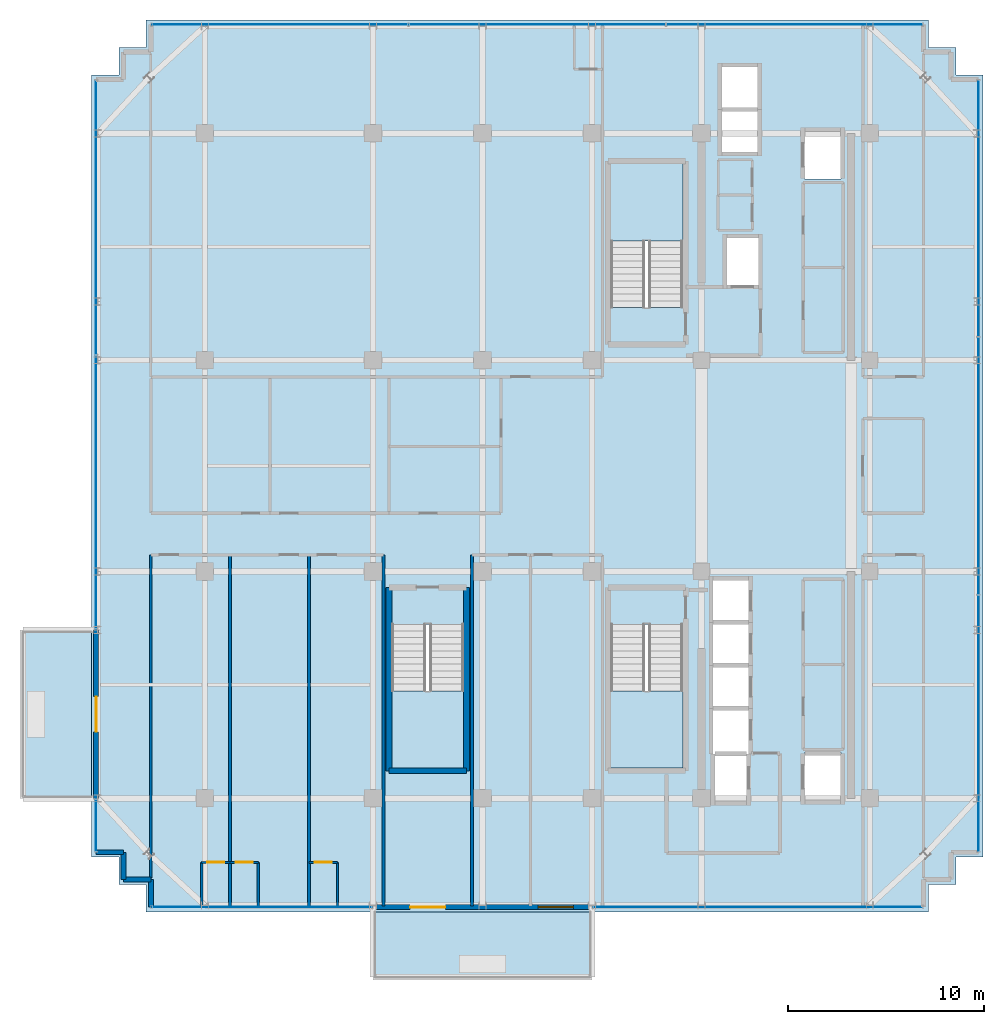
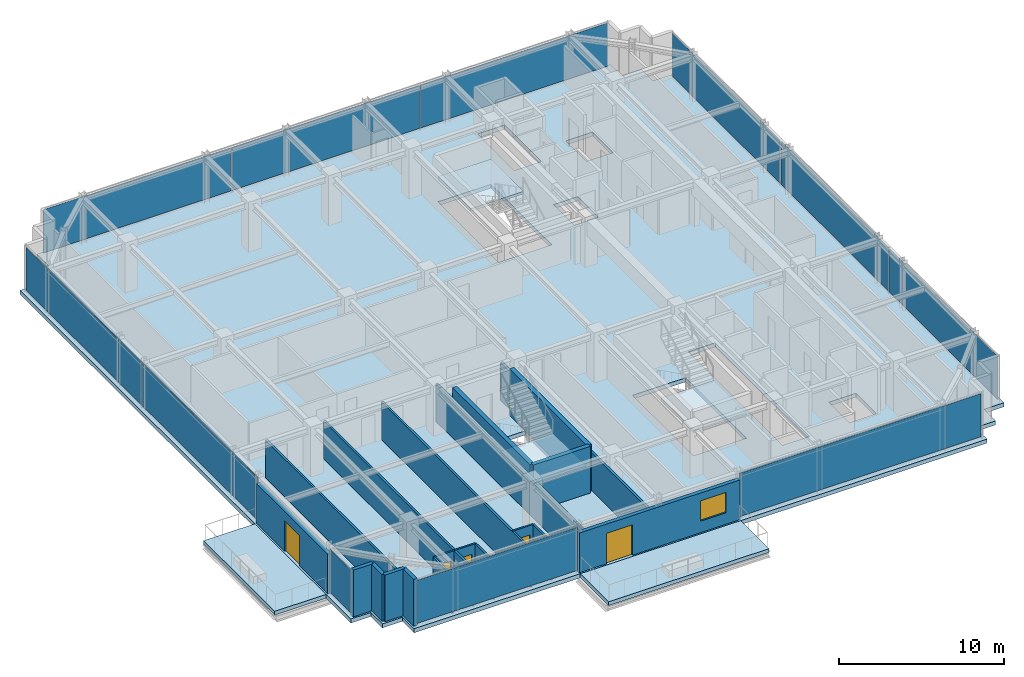
# One storey, part 24 of 31: 20 walls, 11 plates, 6 slabs, 5 doors, 1 window, 6 openings, 9 elements without a shape of their own.
"""IFC4 building model written with IfcOpenShell, lengths in metres."""

from ifc_helpers import new_model, si_unit, direction, frame, frame_2d, origin, origin_2d, place, context, subcontext, project, spatial, polyline, rectangle, outline, extrude, source, transform, mapped, material, layer, layer_set, type_object, element, fill, aggregate, save


model = new_model("IFC4")

# Units and contexts
model_context = context("Model", 3, precision=1e-05, world=origin(), true_north=direction((0.0, 1.0)))
body_context = subcontext(model_context, "Body", "Model", "MODEL_VIEW")
ifc_project = project(units=[si_unit("LENGTHUNIT", "METRE"), si_unit("AREAUNIT", "SQUARE_METRE"), si_unit("VOLUMEUNIT", "CUBIC_METRE"), si_unit("PLANEANGLEUNIT", "RADIAN"), si_unit("MASSUNIT", "GRAM", prefix="KILO")], contexts=[model_context])

# Site, building, storey
site_placement = place(None, origin())
site = spatial("IfcSite", under=ifc_project, at=site_placement, CompositionType="ELEMENT")
building_placement = place(site_placement, origin())
building = spatial("IfcBuilding", under=site, at=building_placement, Name="Nahalor Promenade Grand Hotel", CompositionType="ELEMENT")
storey_placement = place(building_placement, frame((0.0, 0.0, 277.550048828125)))
storey = spatial("IfcBuildingStorey", under=building, at=storey_placement, Name="L71", CompositionType="ELEMENT", Elevation=277.550048828125)

# Stair, slab
ifc_material_1 = material(Name="Concrete B-50 (C40/50)", Category="concrete")
stair_type_1 = type_object("IfcStairType", Name="Stair-ST1", PredefinedType="HALF_TURN_STAIR", material=ifc_material_1)
stair_1_placement = place(storey_placement, origin())
stair_1 = element("IfcStair", 1, at=stair_1_placement, inside=storey, type_object=stair_type_1, Name="L71 ST1", PredefinedType="HALF_TURN_STAIR")
ifc_layer_1 = layer(ifc_material_1, 0.199951171875)
ifc_layer_set_1 = layer_set([ifc_layer_1], Name="Concrete B-50 (C40/50)")
slab_type_1 = type_object("IfcSlabType", Name="Landing-ST1", PredefinedType="LANDING", material=ifc_layer_set_1)
slab_1_placement = place(storey_placement, frame((0.0, 0.0, 1.675048828125)))
slab_1 = element("IfcSlab", 2, at=slab_1_placement, type_object=slab_type_1, Name="ST1 landing 1", PredefinedType="LANDING", context=body_context, shape_type="SweptSolid", body=[
    extrude(outline(polyline([(7.449951171875, 11.5), (7.449951171875, 15.449951171875), (3.75, 15.449951171875), (3.75, 11.5), (7.449951171875, 11.5)])), origin(), (0.0, 0.0, 1.0), 0.199951171875),
])
aggregate(stair_1, [slab_1])

stair_type_2 = type_object("IfcStairType", Name="Stair-ST2", PredefinedType="HALF_TURN_STAIR", material=ifc_material_1)
stair_2_placement = place(storey_placement, origin())
stair_2 = element("IfcStair", 3, at=stair_2_placement, inside=storey, type_object=stair_type_2, Name="L71 ST2", PredefinedType="HALF_TURN_STAIR")
ifc_layer_2 = layer(ifc_material_1, 0.2099609375)
ifc_layer_set_2 = layer_set([ifc_layer_2], Name="Concrete B-50 (C40/50)")
slab_type_2 = type_object("IfcSlabType", Name="Landing-ST2", PredefinedType="LANDING", material=ifc_layer_set_2)
slab_2_placement = place(storey_placement, frame((0.0, 0.0, 1.6650390625)))
slab_2 = element("IfcSlab", 4, at=slab_2_placement, type_object=slab_type_2, Name="ST2 landing 1", PredefinedType="LANDING", context=body_context, shape_type="SweptSolid", body=[
    extrude(outline(polyline([(3.75, -11.5), (3.75, -15.449951171875), (7.449951171875, -15.449951171875), (7.449951171875, -11.5), (3.75, -11.5)])), origin(), (0.0, 0.0, 1.0), 0.2099609375),
])
aggregate(stair_2, [slab_2])

stair_type_3 = type_object("IfcStairType", Name="Stair-ST3", PredefinedType="HALF_TURN_STAIR", material=ifc_material_1)
stair_3_placement = place(storey_placement, origin())
stair_3 = element("IfcStair", 5, at=stair_3_placement, inside=storey, type_object=stair_type_3, Name="L71 ST3", PredefinedType="HALF_TURN_STAIR")
ifc_layer_3 = layer(ifc_material_1, 0.219970703125)
ifc_layer_set_3 = layer_set([ifc_layer_3], Name="Concrete B-50 (C40/50)")
slab_type_3 = type_object("IfcSlabType", Name="Landing-ST3", PredefinedType="LANDING", material=ifc_layer_set_3)
slab_3_placement = place(storey_placement, frame((0.0, 0.0, 1.655029296875)))
slab_3 = element("IfcSlab", 6, at=slab_3_placement, type_object=slab_type_3, Name="ST3 landing 1", PredefinedType="LANDING", context=body_context, shape_type="SweptSolid", body=[
    extrude(outline(polyline([(-7.449951171875, -11.5), (-7.449951171875, -15.449951171875), (-3.75, -15.449951171875), (-3.75, -11.5), (-7.449951171875, -11.5)])), origin(), (0.0, 0.0, 1.0), 0.219970703125),
])
aggregate(stair_3, [slab_3])

# Slabs
ifc_layer_4 = layer(ifc_material_1, 0.280029296875)
ifc_layer_set_4 = layer_set([ifc_layer_4], Name="Concrete B-50 (C40/50)")
slab_type_4 = type_object("IfcSlabType", Name="Slab-Balcony-280", PredefinedType="FLOOR", material=ifc_layer_set_4)
slab_4_placement = place(storey_placement, frame((0.0, 0.0, -0.280029296875)))
element("IfcSlab", 7, at=slab_4_placement, inside=storey, type_object=slab_type_4, Name="L71 Cantilevered Planted Balcony 1", PredefinedType="FLOOR", context=body_context, shape_type="SweptSolid", body=[
    extrude(outline(polyline([(-8.39990234375, -26.219970703125), (2.800048828125, -26.219970703125), (2.800048828125, -22.800048828125), (-8.39990234375, -22.800048828125), (-8.39990234375, -26.219970703125)])), origin(), (0.0, 0.0, 1.0), 0.280029296875),
])
slab_5_placement = place(storey_placement, frame((0.0, 0.0, -0.280029296875)))
element("IfcSlab", 8, at=slab_5_placement, inside=storey, type_object=slab_type_4, Name="L71 Cantilevered Planted Balcony 2", PredefinedType="FLOOR", context=body_context, shape_type="SweptSolid", body=[
    extrude(outline(polyline([(-26.3798828125, -17.0), (-22.800048828125, -17.0), (-22.800048828125, -8.39990234375), (-26.3798828125, -8.39990234375), (-26.3798828125, -17.0)])), origin(), (0.0, 0.0, 1.0), 0.280029296875),
])
ifc_layer_5 = layer(ifc_material_1, 0.300048828125)
ifc_layer_set_5 = layer_set([ifc_layer_5], Name="Concrete B-50 (C40/50)")
slab_type_5 = type_object("IfcSlabType", Name="Slab-TowerZ5-300", PredefinedType="FLOOR", material=ifc_layer_set_5)
slab_6_placement = place(storey_placement, frame((0.0, 0.0, -0.300048828125)))
element("IfcSlab", 9, at=slab_6_placement, inside=storey, type_object=slab_type_5, Name="L71 Suspended Structural Floor Slab", PredefinedType="FLOOR", context=body_context, shape_type="SweptSolid", body=[
    extrude(outline(polyline([(-20.0, -22.800048828125), (20.0, -22.800048828125), (20.0, -21.39990234375), (21.39990234375, -21.39990234375), (21.39990234375, -20.0), (22.800048828125, -20.0), (22.800048828125, 20.0), (21.39990234375, 20.0), (21.39990234375, 21.39990234375), (20.0, 21.39990234375), (20.0, 22.800048828125), (-20.0, 22.800048828125), (-20.0, 21.39990234375), (-21.39990234375, 21.39990234375), (-21.39990234375, 20.0), (-22.800048828125, 20.0), (-22.800048828125, -20.0), (-21.39990234375, -20.0), (-21.39990234375, -21.39990234375), (-20.0, -21.39990234375), (-20.0, -22.800048828125)]), holes=[polyline([(3.75, 8.10009765625), (7.449951171875, 8.10009765625), (7.449951171875, 15.449951171875), (3.75, 15.449951171875), (3.75, 8.10009765625)]), polyline([(3.75, -15.449951171875), (7.449951171875, -15.449951171875), (7.449951171875, -8.10009765625), (3.75, -8.10009765625), (3.75, -15.449951171875)]), polyline([(-7.449951171875, -15.449951171875), (-3.75, -15.449951171875), (-3.75, -8.10009765625), (-7.449951171875, -8.10009765625), (-7.449951171875, -15.449951171875)]), polyline([(8.9599609375, -17.18994140625), (10.840087890625, -17.18994140625), (10.840087890625, -5.81005859375), (8.9599609375, -5.81005859375), (8.9599609375, -17.18994140625)]), polyline([(9.409912109375, 16.010009765625), (11.2900390625, 16.010009765625), (11.2900390625, 20.43994140625), (9.409912109375, 20.43994140625), (9.409912109375, 16.010009765625)]), polyline([(9.659912109375, 9.2099609375), (11.340087890625, 9.2099609375), (11.340087890625, 11.68994140625), (9.659912109375, 11.68994140625), (9.659912109375, 9.2099609375)]), polyline([(13.659912109375, 14.659912109375), (15.5400390625, 14.659912109375), (15.5400390625, 17.139892578125), (13.659912109375, 17.139892578125), (13.659912109375, 14.659912109375)]), polyline([(13.659912109375, -17.139892578125), (15.5400390625, -17.139892578125), (15.5400390625, -14.659912109375), (13.659912109375, -14.659912109375), (13.659912109375, -17.139892578125)])]), origin(), (0.0, 0.0, 1.0), 0.300048828125),
])

# Curtain wall, plate
ifc_material_2 = material(Name="Anodised Bronze Aluminium EN AW-6063 T6", Category="aluminium")
curtain_wall_type = type_object("IfcCurtainWallType", Name="CW2 Typical Hotel Flush Bronze Unitised Curtain Wall", PredefinedType="USERDEFINED", material=ifc_material_2)
curtain_wall_1_placement = place(storey_placement, origin())
curtain_wall_1 = element("IfcCurtainWall", 10, at=curtain_wall_1_placement, inside=storey, type_object=curtain_wall_type, Name="L71 Curtain Wall CW-L71-N-1", ObjectType="UNITISED_CURTAIN_WALL", PredefinedType="USERDEFINED")
ifc_material_3 = material(Name="Low-E Laminated Solar Glass", Category="glass")
ifc_layer_6 = layer(ifc_material_3, 0.028076171875)
ifc_layer_set_6 = layer_set([ifc_layer_6], Name="Low-E Laminated Solar Glass")
plate_type = type_object("IfcPlateType", Name="CWP2 Bronze Low-E Vision IGU 28mm", PredefinedType="CURTAIN_PANEL", material=ifc_layer_set_6)
shared_shape_1 = source(origin(), body_context, "Body", "SweptSolid", [
    extrude(rectangle(XDim=13.1083984375, YDim=0.028076171875, at=origin_2d()), origin(), (0.0, 0.0, 1.0), 3.18994140625),
])
plate_1_placement = place(storey_placement, frame((0.0, 22.56005859375, 0.1298828125), z_axis=(0.0, 0.0, 1.0), x_axis=(1.0, 0.0, 0.0)))
plate_1 = element("IfcPlate", 11, at=plate_1_placement, type_object=plate_type, Name="CW-L71-N-1 Glazing Panel 1-0", PredefinedType="CURTAIN_PANEL", context=body_context, shape_type="MappedRepresentation", body=[
    mapped(shared_shape_1, transform((0.0, 0.0, 0.0), scale=1.0)),
])

curtain_wall_2_placement = place(storey_placement, origin())
curtain_wall_2 = element("IfcCurtainWall", 12, at=curtain_wall_2_placement, inside=storey, type_object=curtain_wall_type, Name="L71 Curtain Wall CW-L71-E-1", ObjectType="UNITISED_CURTAIN_WALL", PredefinedType="USERDEFINED")
plate_2_placement = place(storey_placement, frame((22.56005859375, 0.0, 0.1298828125), z_axis=(0.0, 0.0, 1.0), x_axis=(0.0, 1.0, 0.0)))
plate_2 = element("IfcPlate", 13, at=plate_2_placement, type_object=plate_type, Name="CW-L71-E-1 Glazing Panel 1-0", PredefinedType="CURTAIN_PANEL", context=body_context, shape_type="MappedRepresentation", body=[
    mapped(shared_shape_1, transform((0.0, 0.0, 0.0), scale=1.0)),
])

curtain_wall_3_placement = place(storey_placement, origin())
curtain_wall_3 = element("IfcCurtainWall", 14, at=curtain_wall_3_placement, inside=storey, type_object=curtain_wall_type, Name="L71 Curtain Wall CW-L71-W-1", ObjectType="UNITISED_CURTAIN_WALL", PredefinedType="USERDEFINED")
shared_shape_2 = source(origin(), body_context, "Body", "SweptSolid", [
    extrude(rectangle(XDim=2.6298828125, YDim=0.028076171875, at=origin_2d()), origin(), (0.0, 0.0, 1.0), 3.18994140625),
])
plate_3_placement = place(storey_placement, frame((-22.56005859375, -18.3798828125, 0.1298828125), z_axis=(0.0, 0.0, 1.0), x_axis=(0.0, 1.0, 0.0)))
plate_3 = element("IfcPlate", 15, at=plate_3_placement, type_object=plate_type, Name="CW-L71-W-1 Glazing Panel 0-0", PredefinedType="CURTAIN_PANEL", context=body_context, shape_type="MappedRepresentation", body=[
    mapped(shared_shape_2, transform((0.0, 0.0, 0.0), scale=1.0)),
])
aggregate(curtain_wall_3, [plate_3])

# Curtain wall, plates
curtain_wall_4_placement = place(storey_placement, origin())
curtain_wall_4 = element("IfcCurtainWall", 16, at=curtain_wall_4_placement, inside=storey, type_object=curtain_wall_type, Name="L71 Curtain Wall CW-L71-W-3", ObjectType="UNITISED_CURTAIN_WALL", PredefinedType="USERDEFINED")
shared_shape_3 = source(origin(), body_context, "Body", "SweptSolid", [
    extrude(rectangle(XDim=13.982421875, YDim=0.028076171875, at=origin_2d()), origin(), (0.0, 0.0, 1.0), 3.18994140625),
])
plate_4_placement = place(storey_placement, frame((-22.56005859375, -1.34375, 0.1298828125), z_axis=(0.0, 0.0, 1.0), x_axis=(0.0, 1.0, 0.0)))
plate_4 = element("IfcPlate", 17, at=plate_4_placement, type_object=plate_type, Name="CW-L71-W-3 Glazing Panel 0-0", PredefinedType="CURTAIN_PANEL", context=body_context, shape_type="MappedRepresentation", body=[
    mapped(shared_shape_3, transform((0.0, 0.0, 0.0), scale=1.0)),
])
plate_5_placement = place(storey_placement, frame((-22.56005859375, 12.703857421875, 0.1298828125), z_axis=(0.0, 0.0, 1.0), x_axis=(0.0, 1.0, 0.0)))
plate_5 = element("IfcPlate", 18, at=plate_5_placement, type_object=plate_type, Name="CW-L71-W-3 Glazing Panel 1-0", PredefinedType="CURTAIN_PANEL", context=body_context, shape_type="MappedRepresentation", body=[
    mapped(shared_shape_3, transform((0.0, 0.0, 0.0), scale=1.0)),
])
aggregate(curtain_wall_4, [plate_4, plate_5])

# Plate
shared_shape_4 = source(origin(), body_context, "Body", "SweptSolid", [
    extrude(rectangle(XDim=13.075927734375, YDim=0.028076171875, at=origin_2d()), origin(), (0.0, 0.0, 1.0), 3.18994140625),
])
plate_6_placement = place(storey_placement, frame((-13.156982421875, 22.56005859375, 0.1298828125), z_axis=(0.0, 0.0, 1.0), x_axis=(1.0, 0.0, 0.0)))
plate_6 = element("IfcPlate", 19, at=plate_6_placement, type_object=plate_type, Name="CW-L71-N-1 Glazing Panel 0-0", PredefinedType="CURTAIN_PANEL", context=body_context, shape_type="MappedRepresentation", body=[
    mapped(shared_shape_4, transform((0.0, 0.0, 0.0), scale=1.0)),
])

plate_7_placement = place(storey_placement, frame((13.156982421875, 22.56005859375, 0.1298828125), z_axis=(0.0, 0.0, 1.0), x_axis=(1.0, 0.0, 0.0)))
plate_7 = element("IfcPlate", 20, at=plate_7_placement, type_object=plate_type, Name="CW-L71-N-1 Glazing Panel 2-0", PredefinedType="CURTAIN_PANEL", context=body_context, shape_type="MappedRepresentation", body=[
    mapped(shared_shape_4, transform((0.0, 0.0, 0.0), scale=1.0)),
])

aggregate(curtain_wall_1, [plate_6, plate_1, plate_7])

plate_8_placement = place(storey_placement, frame((22.56005859375, -13.156982421875, 0.1298828125), z_axis=(0.0, 0.0, 1.0), x_axis=(0.0, 1.0, 0.0)))
plate_8 = element("IfcPlate", 21, at=plate_8_placement, type_object=plate_type, Name="CW-L71-E-1 Glazing Panel 0-0", PredefinedType="CURTAIN_PANEL", context=body_context, shape_type="MappedRepresentation", body=[
    mapped(shared_shape_4, transform((0.0, 0.0, 0.0), scale=1.0)),
])

plate_9_placement = place(storey_placement, frame((22.56005859375, 13.156982421875, 0.1298828125), z_axis=(0.0, 0.0, 1.0), x_axis=(0.0, 1.0, 0.0)))
plate_9 = element("IfcPlate", 22, at=plate_9_placement, type_object=plate_type, Name="CW-L71-E-1 Glazing Panel 2-0", PredefinedType="CURTAIN_PANEL", context=body_context, shape_type="MappedRepresentation", body=[
    mapped(shared_shape_4, transform((0.0, 0.0, 0.0), scale=1.0)),
])

aggregate(curtain_wall_2, [plate_8, plate_2, plate_9])

# Curtain wall, plate
curtain_wall_5_placement = place(storey_placement, origin())
curtain_wall_5 = element("IfcCurtainWall", 23, at=curtain_wall_5_placement, inside=storey, type_object=curtain_wall_type, Name="L71 Curtain Wall CW-L71-S-1", ObjectType="UNITISED_CURTAIN_WALL", PredefinedType="USERDEFINED")
shared_shape_5 = source(origin(), body_context, "Body", "SweptSolid", [
    extrude(rectangle(XDim=11.22998046875, YDim=0.028076171875, at=origin_2d()), origin(), (0.0, 0.0, 1.0), 3.18994140625),
])
plate_10_placement = place(storey_placement, frame((-14.080078125, -22.56005859375, 0.1298828125), z_axis=(0.0, 0.0, 1.0), x_axis=(1.0, 0.0, 0.0)))
plate_10 = element("IfcPlate", 24, at=plate_10_placement, type_object=plate_type, Name="CW-L71-S-1 Glazing Panel 0-0", PredefinedType="CURTAIN_PANEL", context=body_context, shape_type="MappedRepresentation", body=[
    mapped(shared_shape_5, transform((0.0, 0.0, 0.0), scale=1.0)),
])
aggregate(curtain_wall_5, [plate_10])

curtain_wall_6_placement = place(storey_placement, origin())
curtain_wall_6 = element("IfcCurtainWall", 25, at=curtain_wall_6_placement, inside=storey, type_object=curtain_wall_type, Name="L71 Curtain Wall CW-L71-S-3", ObjectType="UNITISED_CURTAIN_WALL", PredefinedType="USERDEFINED")
shared_shape_6 = source(origin(), body_context, "Body", "SweptSolid", [
    extrude(rectangle(XDim=16.830078125, YDim=0.028076171875, at=origin_2d()), origin(), (0.0, 0.0, 1.0), 3.18994140625),
])
plate_11_placement = place(storey_placement, frame((11.280029296875, -22.56005859375, 0.1298828125), z_axis=(0.0, 0.0, 1.0), x_axis=(1.0, 0.0, 0.0)))
plate_11 = element("IfcPlate", 26, at=plate_11_placement, type_object=plate_type, Name="CW-L71-S-3 Glazing Panel 0-0", PredefinedType="CURTAIN_PANEL", context=body_context, shape_type="MappedRepresentation", body=[
    mapped(shared_shape_6, transform((0.0, 0.0, 0.0), scale=1.0)),
])
aggregate(curtain_wall_6, [plate_11])

# Walls
ifc_layer_7 = layer(ifc_material_1, 0.300048828125)
ifc_layer_set_7 = layer_set([ifc_layer_7], Name="Concrete B-50 (C40/50)")
wall_type_1 = type_object("IfcWallType", Name="Wall-ShaftShear-300", PredefinedType="SHEAR", material=ifc_layer_set_7)
shared_shape_7 = source(origin(), body_context, "Body", "SweptSolid", [
    extrude(rectangle(XDim=3.97998046875, YDim=0.300048828125, at=frame_2d((1.989990234375, 0.0))), origin(), (0.0, 0.0, 1.0), 3.449951171875),
])
wall_1_placement = place(storey_placement, frame((-7.590087890625, -15.590087890625, 0.0), z_axis=(0.0, 0.0, 1.0), x_axis=(1.0, 0.0, 0.0)))
element("IfcWall", 27, at=wall_1_placement, inside=storey, type_object=wall_type_1, Name="L71 Exit Stair ST3 Shaft Wall S", PredefinedType="SHEAR", context=body_context, shape_type="MappedRepresentation", body=[
    mapped(shared_shape_7, transform((0.0, 0.0, 0.0), scale=1.0)),
])
shared_shape_8 = source(origin(), body_context, "Body", "SweptSolid", [
    extrude(rectangle(XDim=9.380126953125, YDim=0.300048828125, at=frame_2d((4.68994140625, 0.0))), origin(), (0.0, 0.0, 1.0), 3.449951171875),
])
for number, where, z_axis, x_axis, name in (
    (28, (-7.590087890625, -15.590087890625, 0.0), (0.0, 0.0, 1.0), (0.0, 1.0, 0.0), "L71 Exit Stair ST3 Shaft Wall W"),
    (29, (-3.610107421875, -15.590087890625, 0.0), (0.0, 0.0, 1.0), (0.0, 1.0, 0.0), "L71 Exit Stair ST3 Shaft Wall E"),
):
    element("IfcWall", number, at=place(storey_placement, frame(where, z_axis=z_axis, x_axis=x_axis)), inside=storey, type_object=wall_type_1, Name=name, PredefinedType="SHEAR", context=body_context, shape_type="MappedRepresentation", body=[
        mapped(shared_shape_8, transform((0.0, 0.0, 0.0), scale=1.0)),
    ])
ifc_material_4 = material(Name="Concrete B-40 (C32/40)", Category="concrete")
ifc_layer_8 = layer(ifc_material_4, 0.25)
ifc_layer_set_8 = layer_set([ifc_layer_8], Name="Concrete B-40 (C32/40)")
wall_type_2 = type_object("IfcWallType", Name="Wall-BronzePier-250", PredefinedType="STANDARD", material=ifc_layer_set_8)
shared_shape_9 = source(origin(), body_context, "Body", "SweptSolid", [
    extrude(rectangle(XDim=1.400146484375, YDim=0.25, at=frame_2d((0.7001953125, 0.0))), origin(), (0.0, 0.0, 1.0), 3.449951171875),
])
for number, where, z_axis, x_axis, name in (
    (30, (-22.56005859375, -19.760009765625, 0.0), (0.0, 0.0, 1.0), (1.0, 0.0, 0.0), "W-L71-SR-13"),
    (31, (-19.760009765625, -22.56005859375, 0.0), (0.0, 0.0, 1.0), (0.0, 1.0, 0.0), "W-L71-SR-16"),
):
    element("IfcWall", number, at=place(storey_placement, frame(where, z_axis=z_axis, x_axis=x_axis)), inside=storey, type_object=wall_type_2, Name=name, PredefinedType="STANDARD", context=body_context, shape_type="MappedRepresentation", body=[
        mapped(shared_shape_9, transform((0.0, 0.0, 0.0), scale=1.0)),
    ])
shared_shape_10 = source(origin(), body_context, "Body", "SweptSolid", [
    extrude(rectangle(XDim=1.39990234375, YDim=0.25, at=frame_2d((0.699951171875, 0.0))), origin(), (0.0, 0.0, 1.0), 3.449951171875),
])
for number, where, z_axis, x_axis, name in (
    (32, (-21.159912109375, -21.159912109375, 0.0), (0.0, 0.0, 1.0), (0.0, 1.0, 0.0), "W-L71-SR-14"),
    (33, (-21.159912109375, -21.159912109375, 0.0), (0.0, 0.0, 1.0), (1.0, 0.0, 0.0), "W-L71-SR-15"),
):
    element("IfcWall", number, at=place(storey_placement, frame(where, z_axis=z_axis, x_axis=x_axis)), inside=storey, type_object=wall_type_2, Name=name, PredefinedType="STANDARD", context=body_context, shape_type="MappedRepresentation", body=[
        mapped(shared_shape_10, transform((0.0, 0.0, 0.0), scale=1.0)),
    ])

# Wall, opening, door
ifc_layer_9 = layer(ifc_material_4, 0.260009765625)
ifc_layer_set_9 = layer_set([ifc_layer_9], Name="Concrete B-40 (C32/40)")
wall_type_3 = type_object("IfcWallType", Name="Wall-BalconyWall-260", PredefinedType="STANDARD", material=ifc_layer_set_9)
shared_shape_11 = source(origin(), body_context, "Body", "SweptSolid", [
    extrude(rectangle(XDim=8.60009765625, YDim=0.260009765625, at=frame_2d((4.300048828125, 0.0))), origin(), (0.0, 0.0, 1.0), 2.929931640625),
])
wall_2_placement = place(storey_placement, frame((-22.56005859375, -17.0, 0.0), z_axis=(0.0, 0.0, 1.0), x_axis=(0.0, 1.0, 0.0)))
wall_2 = element("IfcWall", 34, at=wall_2_placement, inside=storey, type_object=wall_type_3, Name="W-L71-BALC-W-2", PredefinedType="STANDARD", context=body_context, shape_type="MappedRepresentation", body=[
    mapped(shared_shape_11, transform((0.0, 0.0, 0.0), scale=1.0)),
])
opening_1_placement = place(wall_2_placement, frame((3.39990234375, 0.0, 0.0)))
opening_1 = element("IfcOpeningElement", 35, at=opening_1_placement, cuts=wall_2, Name="Opening D-BC1", PredefinedType="OPENING", context=body_context, shape_type="SweptSolid", body=[
    extrude(rectangle(XDim=1.800048828125, YDim=2.25, at=frame_2d((0.89990234375, 1.125))), frame((0.0, 0.139892578125, 0.0), z_axis=(0.0, -1.0, 0.0), x_axis=(1.0, 0.0, 0.0)), (0.0, 0.0, 1.0), 0.280029296875),
])
door_type_1 = type_object("IfcDoorType", Name="Door-BalconySlide-1800", OperationType="DOUBLE_DOOR_SLIDING", PredefinedType="DOOR", material=ifc_material_2)
shared_shape_12 = source(origin(), body_context, "Body", "SweptSolid", [
    extrude(rectangle(XDim=1.800048828125, YDim=2.25, at=frame_2d((0.89990234375, 1.125))), frame((0.0, 0.02490234375, 0.0), z_axis=(0.0, -1.0, 0.0), x_axis=(1.0, 0.0, 0.0)), (0.0, 0.0, 1.0), 0.050048828125),
])
door_1_placement = place(opening_1_placement, origin())
door_1 = element("IfcDoor", 36, at=door_1_placement, inside=storey, type_object=door_type_1, Name="DR-L71-BALC-W-2", OperationType="DOUBLE_DOOR_SLIDING", OverallHeight=2.25, OverallWidth=1.800048828125, PredefinedType="DOOR", context=body_context, shape_type="MappedRepresentation", body=[
    mapped(shared_shape_12, transform((0.0, 0.0, 0.0), scale=1.0)),
])
fill(opening_1, door_1)

# Wall, openings, door, window
shared_shape_13 = source(origin(), body_context, "Body", "SweptSolid", [
    extrude(rectangle(XDim=11.199951171875, YDim=0.260009765625, at=frame_2d((5.60009765625, 0.0))), origin(), (0.0, 0.0, 1.0), 2.929931640625),
])
wall_3_placement = place(storey_placement, frame((-8.39990234375, -22.56005859375, 0.0), z_axis=(0.0, 0.0, 1.0), x_axis=(1.0, 0.0, 0.0)))
wall_3 = element("IfcWall", 37, at=wall_3_placement, inside=storey, type_object=wall_type_3, Name="W-L71-BALC-S-2", PredefinedType="STANDARD", context=body_context, shape_type="MappedRepresentation", body=[
    mapped(shared_shape_13, transform((0.0, 0.0, 0.0), scale=1.0)),
])
opening_2_placement = place(wall_3_placement, frame((1.89990234375, 0.0, 0.0)))
opening_2 = element("IfcOpeningElement", 38, at=opening_2_placement, cuts=wall_3, Name="Opening D-BC1", PredefinedType="OPENING", context=body_context, shape_type="SweptSolid", body=[
    extrude(rectangle(XDim=1.800048828125, YDim=2.25, at=frame_2d((0.89990234375, 1.125))), frame((0.0, 0.139892578125, 0.0), z_axis=(0.0, -1.0, 0.0), x_axis=(1.0, 0.0, 0.0)), (0.0, 0.0, 1.0), 0.280029296875),
])
opening_3_placement = place(wall_3_placement, frame((8.449951171875, 0.0, 0.85009765625)))
opening_3 = element("IfcOpeningElement", 39, at=opening_3_placement, cuts=wall_3, Name="Opening WN-01", PredefinedType="OPENING", context=body_context, shape_type="SweptSolid", body=[
    extrude(rectangle(XDim=1.800048828125, YDim=1.5, at=frame_2d((0.89990234375, 0.75))), frame((0.0, 0.139892578125, 0.0), z_axis=(0.0, -1.0, 0.0), x_axis=(1.0, 0.0, 0.0)), (0.0, 0.0, 1.0), 0.280029296875),
])
door_2_placement = place(opening_2_placement, frame((1.800048828125, 0.0, 0.0), z_axis=(0.0, 0.0, 1.0), x_axis=(-1.0, 0.0, 0.0)))
door_2 = element("IfcDoor", 40, at=door_2_placement, inside=storey, type_object=door_type_1, Name="DR-L71-BALC-S-2", OperationType="DOUBLE_DOOR_SLIDING", OverallHeight=2.25, OverallWidth=1.800048828125, PredefinedType="DOOR", context=body_context, shape_type="MappedRepresentation", body=[
    mapped(shared_shape_12, transform((0.0, 0.0, 0.0), scale=1.0)),
])
fill(opening_2, door_2)
window_type = type_object("IfcWindowType", Name="Win-ChicagoBay-1800x1500", PartitioningType="SINGLE_PANEL", PredefinedType="WINDOW", material=ifc_material_3)
shared_shape_14 = source(origin(), body_context, "Body", "SweptSolid", [
    extrude(rectangle(XDim=1.800048828125, YDim=1.5, at=frame_2d((0.89990234375, 0.75))), frame((0.0, 0.030029296875, 0.0), z_axis=(0.0, -1.0, 0.0), x_axis=(1.0, 0.0, 0.0)), (0.0, 0.0, 1.0), 0.06005859375),
])
window_placement = place(opening_3_placement, origin())
window = element("IfcWindow", 41, at=window_placement, inside=storey, type_object=window_type, Name="WN-L71-BALC-S-2-1", OverallHeight=1.5, OverallWidth=1.800048828125, PartitioningType="SINGLE_PANEL", PredefinedType="WINDOW", context=body_context, shape_type="MappedRepresentation", body=[
    mapped(shared_shape_14, transform((0.0, 0.0, 0.0), scale=1.0)),
])
fill(opening_3, window)

# Walls
ifc_material_5 = material(Name="Acoustic Mineral Gypsum", Category="gypsum")
ifc_layer_10 = layer(ifc_material_5, 0.159912109375)
ifc_layer_set_10 = layer_set([ifc_layer_10], Name="Acoustic Mineral Gypsum")
wall_type_4 = type_object("IfcWallType", Name="Wall-PartCorridor-160", PredefinedType="PARTITIONING", material=ifc_layer_set_10)
shared_shape_15 = source(origin(), body_context, "Body", "SweptSolid", [
    extrude(rectangle(XDim=17.949951171875, YDim=0.159912109375, at=frame_2d((8.97509765625, 0.0))), origin(), (0.0, 0.0, 1.0), 2.7900390625),
])
wall_4_placement = place(storey_placement, frame((-3.340087890625, -22.5, 0.0), z_axis=(0.0, 0.0, 1.0), x_axis=(0.0, 1.0, 0.0)))
element("IfcWall", 42, at=wall_4_placement, inside=storey, type_object=wall_type_4, Name="W-L71-SCB1-W", PredefinedType="PARTITIONING", context=body_context, shape_type="MappedRepresentation", body=[
    mapped(shared_shape_15, transform((0.0, 0.0, 0.0), scale=1.0)),
])
ifc_layer_11 = layer(ifc_material_5, 0.139892578125)
ifc_layer_set_11 = layer_set([ifc_layer_11], Name="Acoustic Mineral Gypsum")
wall_type_5 = type_object("IfcWallType", Name="Wall-PartSuite-140", PredefinedType="PARTITIONING", material=ifc_layer_set_11)
shared_shape_16 = source(origin(), body_context, "Body", "SweptSolid", [
    extrude(rectangle(XDim=16.530029296875, YDim=0.139892578125, at=frame_2d((8.26513671875, 0.0))), origin(), (0.0, 0.0, 1.0), 2.7900390625),
])
wall_5_placement = place(storey_placement, frame((-19.760009765625, -21.080078125, 0.0), z_axis=(0.0, 0.0, 1.0), x_axis=(0.0, 1.0, 0.0)))
element("IfcWall", 43, at=wall_5_placement, inside=storey, type_object=wall_type_5, Name="W-L71-SW-ENDW", PredefinedType="PARTITIONING", context=body_context, shape_type="MappedRepresentation", body=[
    mapped(shared_shape_16, transform((0.0, 0.0, 0.0), scale=1.0)),
])
shared_shape_17 = source(origin(), body_context, "Body", "SweptSolid", [
    extrude(rectangle(XDim=17.949951171875, YDim=0.139892578125, at=frame_2d((8.97509765625, 0.0))), origin(), (0.0, 0.0, 1.0), 2.7900390625),
])
for number, where, z_axis, x_axis, name in (
    (44, (-7.860107421875, -22.5, 0.0), (0.0, 0.0, 1.0), (0.0, 1.0, 0.0), "W-L71-SW-ENDE"),
    (45, (-15.714111328125, -22.5, 0.0), (0.0, 0.0, 1.0), (0.0, 1.0, 0.0), "W-L71-SP-1"),
    (46, (-11.66796875, -22.5, 0.0), (0.0, 0.0, 1.0), (0.0, 1.0, 0.0), "W-L71-SP-2"),
):
    element("IfcWall", number, at=place(storey_placement, frame(where, z_axis=z_axis, x_axis=x_axis)), inside=storey, type_object=wall_type_5, Name=name, PredefinedType="PARTITIONING", context=body_context, shape_type="MappedRepresentation", body=[
        mapped(shared_shape_17, transform((0.0, 0.0, 0.0), scale=1.0)),
    ])

# Wall, opening, door
ifc_layer_12 = layer(ifc_material_5, 0.1201171875)
ifc_layer_set_12 = layer_set([ifc_layer_12], Name="Acoustic Mineral Gypsum")
wall_type_6 = type_object("IfcWallType", Name="Wall-PartBath-120", PredefinedType="PARTITIONING", material=ifc_layer_set_12)
shared_shape_18 = source(origin(), body_context, "Body", "SweptSolid", [
    extrude(rectangle(XDim=1.449951171875, YDim=0.1201171875, at=frame_2d((0.72509765625, 0.0))), origin(), (0.0, 0.0, 1.0), 2.7900390625),
])
wall_6_placement = place(storey_placement, frame((-17.1640625, -20.280029296875, 0.0), z_axis=(0.0, 0.0, 1.0), x_axis=(1.0, 0.0, 0.0)))
wall_6 = element("IfcWall", 47, at=wall_6_placement, inside=storey, type_object=wall_type_6, Name="W-L71-S1-BH", PredefinedType="PARTITIONING", context=body_context, shape_type="MappedRepresentation", body=[
    mapped(shared_shape_18, transform((0.0, 0.0, 0.0), scale=1.0)),
])
opening_4_placement = place(wall_6_placement, frame((0.284912109375, 0.0, 0.0)))
opening_4 = element("IfcOpeningElement", 48, at=opening_4_placement, cuts=wall_6, Name="Opening D-03", PredefinedType="OPENING", context=body_context, shape_type="SweptSolid", body=[
    extrude(rectangle(XDim=0.8798828125, YDim=2.10009765625, at=frame_2d((0.43994140625, 1.050048828125))), frame((0.0, 0.070068359375, 0.0), z_axis=(0.0, -1.0, 0.0), x_axis=(1.0, 0.0, 0.0)), (0.0, 0.0, 1.0), 0.14013671875),
])
ifc_material_6 = material(Name="Fire-Rated Timber Composite", Category="wood")
door_type_2 = type_object("IfcDoorType", Name="Door-BathSwing-880", OperationType="NOTDEFINED", PredefinedType="DOOR", material=ifc_material_6)
shared_shape_19 = source(origin(), body_context, "Body", "SweptSolid", [
    extrude(rectangle(XDim=0.8798828125, YDim=2.10009765625, at=frame_2d((0.43994140625, 1.050048828125))), frame((0.0, 0.02490234375, 0.0), z_axis=(0.0, -1.0, 0.0), x_axis=(1.0, 0.0, 0.0)), (0.0, 0.0, 1.0), 0.050048828125),
])
door_3_placement = place(opening_4_placement, frame((0.8798828125, 0.0, 0.0), z_axis=(0.0, 0.0, 1.0), x_axis=(-1.0, 0.0, 0.0)))
door_3 = element("IfcDoor", 49, at=door_3_placement, inside=storey, type_object=door_type_2, Name="DR-L71-S1-BATH", OperationType="SINGLE_SWING_LEFT", OverallHeight=2.10009765625, OverallWidth=0.8798828125, PredefinedType="DOOR", context=body_context, shape_type="MappedRepresentation", body=[
    mapped(shared_shape_19, transform((0.0, 0.0, 0.0), scale=1.0)),
])
fill(opening_4, door_3)

wall_7_placement = place(storey_placement, frame((-11.66796875, -20.280029296875, 0.0), z_axis=(0.0, 0.0, 1.0), x_axis=(1.0, 0.0, 0.0)))
wall_7 = element("IfcWall", 50, at=wall_7_placement, inside=storey, type_object=wall_type_6, Name="W-L71-S3-BH", PredefinedType="PARTITIONING", context=body_context, shape_type="MappedRepresentation", body=[
    mapped(shared_shape_18, transform((0.0, 0.0, 0.0), scale=1.0)),
])
opening_5_placement = place(wall_7_placement, frame((0.284912109375, 0.0, 0.0)))
opening_5 = element("IfcOpeningElement", 51, at=opening_5_placement, cuts=wall_7, Name="Opening D-03", PredefinedType="OPENING", context=body_context, shape_type="SweptSolid", body=[
    extrude(rectangle(XDim=0.8798828125, YDim=2.10009765625, at=frame_2d((0.43994140625, 1.050048828125))), frame((0.0, 0.070068359375, 0.0), z_axis=(0.0, -1.0, 0.0), x_axis=(1.0, 0.0, 0.0)), (0.0, 0.0, 1.0), 0.14013671875),
])
door_4_placement = place(opening_5_placement, frame((0.8798828125, 0.0, 0.0), z_axis=(0.0, 0.0, 1.0), x_axis=(-1.0, 0.0, 0.0)))
door_4 = element("IfcDoor", 52, at=door_4_placement, inside=storey, type_object=door_type_2, Name="DR-L71-S3-BATH", OperationType="SINGLE_SWING_LEFT", OverallHeight=2.10009765625, OverallWidth=0.8798828125, PredefinedType="DOOR", context=body_context, shape_type="MappedRepresentation", body=[
    mapped(shared_shape_19, transform((0.0, 0.0, 0.0), scale=1.0)),
])
fill(opening_5, door_4)

# Walls
shared_shape_20 = source(origin(), body_context, "Body", "SweptSolid", [
    extrude(rectangle(XDim=2.219970703125, YDim=0.1201171875, at=frame_2d((1.10986328125, 0.0))), origin(), (0.0, 0.0, 1.0), 2.7900390625),
])
for number, where, z_axis, x_axis, name in (
    (53, (-17.1640625, -22.5, 0.0), (0.0, 0.0, 1.0), (0.0, 1.0, 0.0), "W-L71-S1-BV"),
    (54, (-14.263916015625, -22.5, 0.0), (0.0, 0.0, 1.0), (0.0, 1.0, 0.0), "W-L71-S2-BV"),
    (55, (-10.218017578125, -22.5, 0.0), (0.0, 0.0, 1.0), (0.0, 1.0, 0.0), "W-L71-S3-BV"),
):
    element("IfcWall", number, at=place(storey_placement, frame(where, z_axis=z_axis, x_axis=x_axis)), inside=storey, type_object=wall_type_6, Name=name, PredefinedType="PARTITIONING", context=body_context, shape_type="MappedRepresentation", body=[
        mapped(shared_shape_20, transform((0.0, 0.0, 0.0), scale=1.0)),
    ])

# Wall, opening, door
shared_shape_21 = source(origin(), body_context, "Body", "SweptSolid", [
    extrude(rectangle(XDim=1.4501953125, YDim=0.1201171875, at=frame_2d((0.72509765625, 0.0))), origin(), (0.0, 0.0, 1.0), 2.7900390625),
])
wall_8_placement = place(storey_placement, frame((-15.714111328125, -20.280029296875, 0.0), z_axis=(0.0, 0.0, 1.0), x_axis=(1.0, 0.0, 0.0)))
wall_8 = element("IfcWall", 56, at=wall_8_placement, inside=storey, type_object=wall_type_6, Name="W-L71-S2-BH", PredefinedType="PARTITIONING", context=body_context, shape_type="MappedRepresentation", body=[
    mapped(shared_shape_21, transform((0.0, 0.0, 0.0), scale=1.0)),
])
opening_6_placement = place(wall_8_placement, frame((0.284912109375, 0.0, 0.0)))
opening_6 = element("IfcOpeningElement", 57, at=opening_6_placement, cuts=wall_8, Name="Opening D-03", PredefinedType="OPENING", context=body_context, shape_type="SweptSolid", body=[
    extrude(rectangle(XDim=0.8798828125, YDim=2.10009765625, at=frame_2d((0.43994140625, 1.050048828125))), frame((0.0, 0.070068359375, 0.0), z_axis=(0.0, -1.0, 0.0), x_axis=(1.0, 0.0, 0.0)), (0.0, 0.0, 1.0), 0.14013671875),
])
door_5_placement = place(opening_6_placement, frame((0.8798828125, 0.0, 0.0), z_axis=(0.0, 0.0, 1.0), x_axis=(-1.0, 0.0, 0.0)))
door_5 = element("IfcDoor", 58, at=door_5_placement, inside=storey, type_object=door_type_2, Name="DR-L71-S2-BATH", OperationType="SINGLE_SWING_LEFT", OverallHeight=2.10009765625, OverallWidth=0.8798828125, PredefinedType="DOOR", context=body_context, shape_type="MappedRepresentation", body=[
    mapped(shared_shape_19, transform((0.0, 0.0, 0.0), scale=1.0)),
])
fill(opening_6, door_5)

save(model, "model.ifc")
